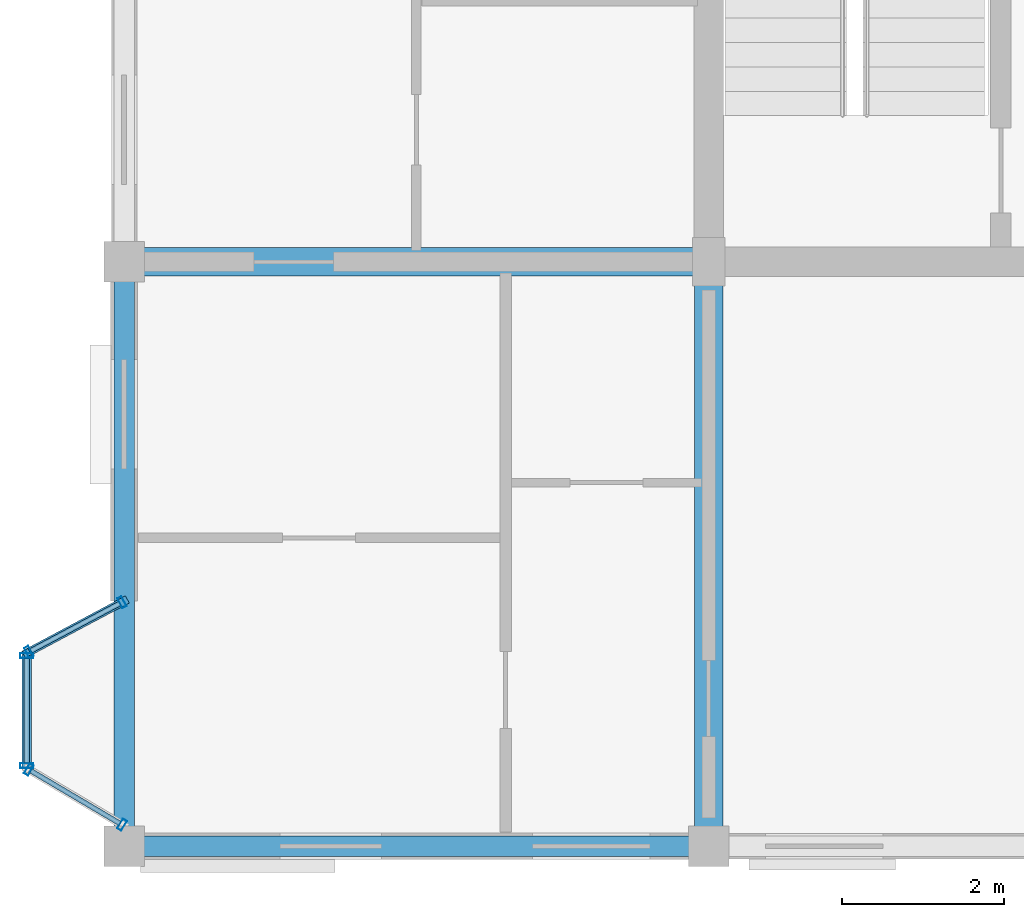
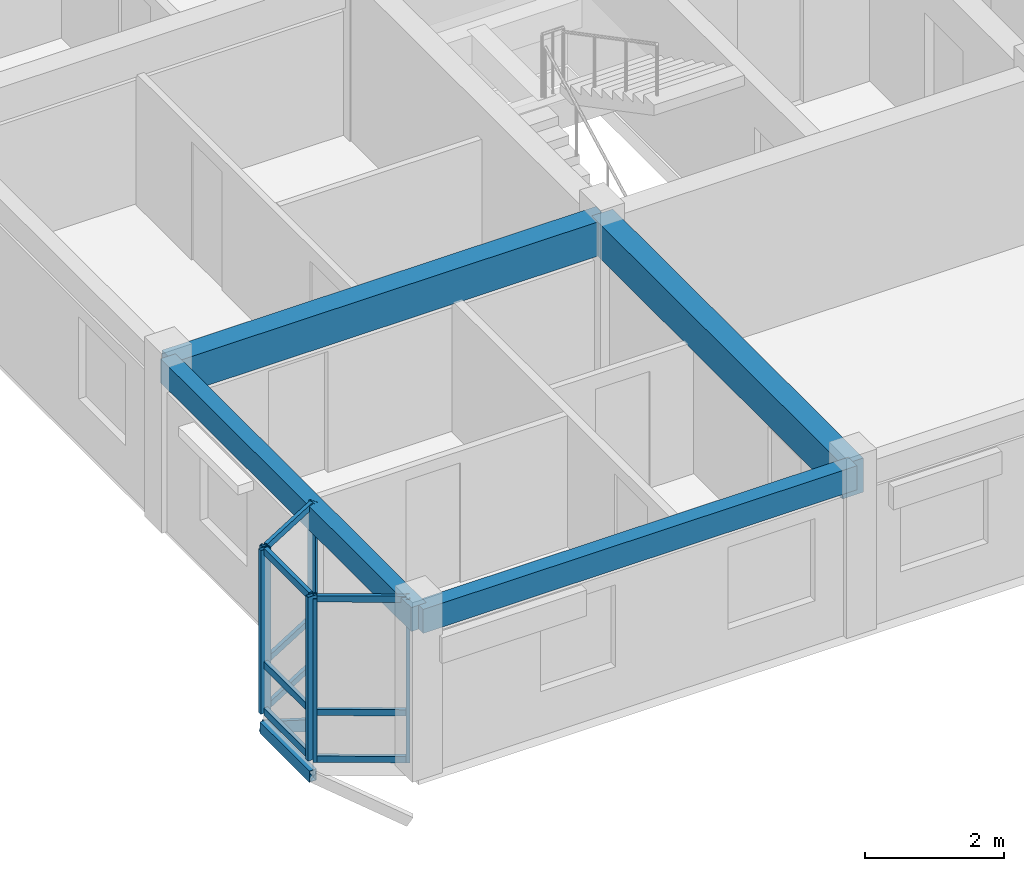
# One storey, part 3 of 70: 17 members, 4 beams, 3 elements without a shape of their own.
"""IFC4 building model written with IfcOpenShell, lengths in metres."""

import ifcopenshell
import ifcopenshell.guid

model = None  # the IFC model being written
_history = None  # IfcOwnerHistory: only IFC2X3 demands one
_inside = {}  # id of a spatial element -> (the spatial element, [elements in it])
_under = {}  # id of a project, library or spatial element -> (it, [spatial elements below it])
_declared = {}  # id of a project -> (the project, [libraries it declares])
_typed = {}  # id of a type object -> (the type object, [elements of that type])
_made_of = {}  # id of a material, layer set ... -> (it, [elements and type objects made of it])


def new_model(schema):
    """Start an empty IFC model of exactly this schema.

    Asked for "IFC4X3", IfcOpenShell would pick the latest addendum, in which some entities
    have other attributes; the version numbers below select the first issue.
    IFC2X3 requires an IfcOwnerHistory on every rooted entity: one is made here for all.
    """
    global model, _history
    if schema == "IFC4X3":
        model = ifcopenshell.file(schema_version=(4, 3, 0, 0))
    else:
        model = ifcopenshell.file(schema=schema)
    _inside.clear()
    _under.clear()
    _declared.clear()
    _typed.clear()
    _made_of.clear()
    _history = None
    if model.schema == "IFC2X3":
        org = make("IfcOrganization", Name="unknown")
        user = make(
            "IfcPersonAndOrganization",
            ThePerson=make("IfcPerson", FamilyName="unknown"),
            TheOrganization=org,
        )
        app = make(
            "IfcApplication",
            ApplicationDeveloper=org,
            Version="unknown",
            ApplicationFullName="unknown",
            ApplicationIdentifier="unknown",
        )
        _history = make(
            "IfcOwnerHistory",
            OwningUser=user,
            OwningApplication=app,
            ChangeAction="ADDED",
            CreationDate=0,
        )
    return model


def make(cls, **values):
    """One entity of the class cls with the attributes given. An attribute that is None is left unset."""
    return model.create_entity(
        cls, **{name: value for name, value in values.items() if value is not None}
    )


def rooted(cls, **values):
    """An entity with a GlobalId (a new one), such as an element, a storey or a relation."""
    return make(cls, GlobalId=ifcopenshell.guid.new(), OwnerHistory=_history, **values)


def si_unit(unit_type, name, prefix=None):
    """IfcSIUnit, for example si_unit("LENGTHUNIT", "METRE", prefix="MILLI")."""
    return make("IfcSIUnit", UnitType=unit_type, Prefix=prefix, Name=name)


def assignment(units):
    """IfcUnitAssignment: the units of a project."""
    return None if units is None else make("IfcUnitAssignment", Units=units)


def point(xyz):
    """IfcCartesianPoint."""
    return None if xyz is None else make("IfcCartesianPoint", Coordinates=xyz)


def direction(xyz):
    """IfcDirection."""
    return None if xyz is None else make("IfcDirection", DirectionRatios=xyz)


def frame(location, z_axis=None, x_axis=None):
    """IfcAxis2Placement3D, a coordinate frame: its origin and axes. An axis left out is left unset."""
    return make(
        "IfcAxis2Placement3D",
        Location=point(location),
        Axis=direction(z_axis),
        RefDirection=direction(x_axis),
    )


def frame_2d(location, x_axis=None):
    """IfcAxis2Placement2D, a coordinate frame in the plane: its origin and x axis."""
    return make(
        "IfcAxis2Placement2D", Location=point(location), RefDirection=direction(x_axis)
    )


def origin():
    """The frame at (0, 0, 0) with its axes left unset."""
    return frame((0.0, 0.0, 0.0))


def origin_2d():
    """The frame at (0, 0) in the plane with its x axis left unset."""
    return frame_2d((0.0, 0.0))


def place(relative_to, where):
    """IfcLocalPlacement: puts the frame where relative to a parent placement (None: the world)."""
    return make(
        "IfcLocalPlacement", PlacementRelTo=relative_to, RelativePlacement=where
    )


def context(
    kind, dimensions, precision=None, world=None, true_north=None, identifier=None
):
    """IfcGeometricRepresentationContext, for example the 3D "Model" context."""
    return make(
        "IfcGeometricRepresentationContext",
        ContextIdentifier=identifier,
        ContextType=kind,
        CoordinateSpaceDimension=dimensions,
        Precision=precision,
        WorldCoordinateSystem=world,
        TrueNorth=true_north,
    )


def subcontext(parent, identifier, kind, view, scale=None):
    """IfcGeometricRepresentationSubContext, for example "Body" below "Model"."""
    return make(
        "IfcGeometricRepresentationSubContext",
        ContextIdentifier=identifier,
        ContextType=kind,
        ParentContext=parent,
        TargetScale=scale,
        TargetView=view,
    )


def project(units=None, contexts=None):
    """IfcProject with its units and contexts."""
    return rooted(
        "IfcProject",
        Name="project",
        RepresentationContexts=contexts,
        UnitsInContext=assignment(units),
    )


def spatial(cls, under=None, at=None, **own):
    """A site, building, storey or space (cls), placed at a placement, below another one or the project."""
    s = rooted(cls, ObjectPlacement=at, **own)
    if under is not None:
        _under.setdefault(under.id(), (under, []))[1].append(s)
    return s


def profile(cls, at=None, kind="AREA", **sizes):
    """A parametric profile (cls). Its sizes go by their IFC names, for example OverallWidth=200.0."""
    return make(cls, ProfileType=kind, Position=at, **sizes)


def rectangle(**sizes):
    """IfcRectangleProfileDef."""
    return profile("IfcRectangleProfileDef", **sizes)


def hollow_rectangle(**sizes):
    """IfcRectangleHollowProfileDef."""
    return profile("IfcRectangleHollowProfileDef", **sizes)


def extrude(swept, where, along, depth):
    """IfcExtrudedAreaSolid: the profile swept, set in the frame where, extruded along a direction by depth."""
    return make(
        "IfcExtrudedAreaSolid",
        SweptArea=swept,
        Position=where,
        ExtrudedDirection=direction(along),
        Depth=depth,
    )


def shape(context_of_items, identifier, shape_type, items):
    """IfcShapeRepresentation: the items that make up one representation, for example the "Body"."""
    return make(
        "IfcShapeRepresentation",
        ContextOfItems=context_of_items,
        RepresentationIdentifier=identifier,
        RepresentationType=shape_type,
        Items=items,
    )


def material(Name=None, Category=None):
    """IfcMaterial."""
    return make("IfcMaterial", Name=Name, Category=Category)


def layer(
    of_material, thickness, ventilated=None, Name=None, Category=None, Priority=None
):
    """IfcMaterialLayer: one layer of a wall or slab, of a material (None: an air gap)."""
    return make(
        "IfcMaterialLayer",
        Material=of_material,
        LayerThickness=thickness,
        IsVentilated=ventilated,
        Name=Name,
        Category=Category,
        Priority=Priority,
    )


def layer_set(layers, Name=None):
    """IfcMaterialLayerSet."""
    return make("IfcMaterialLayerSet", MaterialLayers=layers, LayerSetName=Name)


def material_profile(
    of_material, cross_section, Name=None, Category=None, Priority=None
):
    """IfcMaterialProfile: a cross section and its material."""
    return make(
        "IfcMaterialProfile",
        Name=Name,
        Material=of_material,
        Profile=cross_section,
        Priority=Priority,
        Category=Category,
    )


def profile_set(profiles, Name=None, composite=None):
    """IfcMaterialProfileSet."""
    return make(
        "IfcMaterialProfileSet",
        Name=Name,
        MaterialProfiles=profiles,
        CompositeProfile=composite,
    )


def made_of(thing, what):
    """Note that an element or type object is made of a material, layer set ...; save() writes the relation."""
    if what is not None:
        _made_of.setdefault(what.id(), (what, []))[1].append(thing)
    return thing


def type_object(cls, material=None, **own):
    """A type object (cls), such as IfcWallType, which elements share."""
    return made_of(rooted(cls, **own), material)


def element(
    cls,
    number,
    at=None,
    inside=None,
    cuts=None,
    type_object=None,
    material=None,
    context=None,
    identifier="Body",
    shape_type=None,
    held_by="IfcProductDefinitionShape",
    body=None,
    shapes=None,
    **own,
):
    """One element of the class cls, such as IfcWall. Its Tag is "e" and its number.

    at: its placement. inside: the storey or other place that contains it. cuts: it is an
    opening in that element (IfcRelVoidsElement). A single representation is given by context,
    identifier, shape_type and body (its items); several are given by shapes. held_by: the class
    of the entity that holds the representations. save() writes the other relations.
    """
    e = rooted(cls, Tag="e%d" % number, ObjectPlacement=at, **own)
    if body is not None:
        shapes = [shape(context, identifier, shape_type, body)]
    if shapes is not None:
        e.Representation = make(held_by, Representations=shapes)
    if inside is not None:
        _inside.setdefault(inside.id(), (inside, []))[1].append(e)
    if cuts is not None:
        rooted(
            "IfcRelVoidsElement", RelatingBuildingElement=cuts, RelatedOpeningElement=e
        )
    if type_object is not None:
        _typed.setdefault(type_object.id(), (type_object, []))[1].append(e)
    return made_of(e, material)


def aggregate(whole, parts):
    """IfcRelAggregates: a whole, such as a stair, and the parts it consists of."""
    return rooted("IfcRelAggregates", RelatingObject=whole, RelatedObjects=parts)


def save(model, path):
    """Write the relations noted so far, then the file.

    IfcRelAggregates (storeys below a building ...), IfcRelContainedInSpatialStructure (elements
    in a storey), IfcRelDefinesByType, IfcRelAssociatesMaterial and IfcRelDeclares: one each for
    every whole, place, type object, material and project.
    """
    for whole, parts in _under.values():
        aggregate(whole, parts)
    for where, things in _inside.values():
        rooted(
            "IfcRelContainedInSpatialStructure",
            RelatedElements=things,
            RelatingStructure=where,
        )
    for kind, things in _typed.values():
        rooted("IfcRelDefinesByType", RelatedObjects=things, RelatingType=kind)
    for what, things in _made_of.values():
        rooted("IfcRelAssociatesMaterial", RelatedObjects=things, RelatingMaterial=what)
    for by, libraries in _declared.values():
        rooted("IfcRelDeclares", RelatingContext=by, RelatedDefinitions=libraries)
    model.write(path)


model = new_model("IFC4")

# Units and contexts
model_context = context("Model", 3, precision=1e-05, world=origin(), true_north=direction((0.0, 1.0)))
body_context = subcontext(model_context, "Body", "Model", "MODEL_VIEW")
ifc_project = project(units=[si_unit("LENGTHUNIT", "METRE"), si_unit("AREAUNIT", "SQUARE_METRE"), si_unit("VOLUMEUNIT", "CUBIC_METRE"), si_unit("PLANEANGLEUNIT", "RADIAN"), si_unit("MASSUNIT", "GRAM", prefix="KILO"), si_unit("THERMODYNAMICTEMPERATUREUNIT", "KELVIN"), si_unit("POWERUNIT", "WATT")], contexts=[model_context])

# Site, building, storey
site_placement = place(None, origin())
site = spatial("IfcSite", under=ifc_project, at=site_placement, CompositionType="ELEMENT")
building_placement = place(site_placement, origin())
building = spatial("IfcBuilding", under=site, at=building_placement, Name="Tavuni Mirador Residences", CompositionType="ELEMENT")
storey_placement = place(building_placement, frame((0.0, 0.0, 23.39990234375)))
storey = spatial("IfcBuildingStorey", under=building, at=storey_placement, Name="L07", CompositionType="ELEMENT", Elevation=23.39990234375)

# Beams
ifc_material_1 = material(Name="Precast concrete C40/50", Category="concrete")
ifc_material_profile_1 = material_profile(ifc_material_1, rectangle(XDim=0.35009765625, YDim=0.60009765625, at=origin_2d()), Name="PC 350x600", Category="concrete")
ifc_profile_set_1 = profile_set([ifc_material_profile_1], Name="Precast concrete C40/50")
beam_type_1 = type_object("IfcBeamType", Name="BT-B600", PredefinedType="BEAM", material=ifc_profile_set_1)
for number, where, z_axis, x_axis, name in (
    (1, (3.60009765625, 14.39990234375, 2.570068359375), (1.0, 0.0, 0.0), (0.0, 1.0, 0.0), "BMX-BLK-A-L07-00-01"),
    (2, (10.800048828125, 7.199951171875, 2.570068359375), (0.0, 1.0, 0.0), (-1.0, 0.0, 0.0), "BMY-BLK-A-L07-01-00"),
):
    element("IfcBeam", number, at=place(storey_placement, frame(where, z_axis=z_axis, x_axis=x_axis)), inside=storey, type_object=beam_type_1, Name=name, PredefinedType="BEAM", context=body_context, shape_type="SweptSolid", body=[
        extrude(rectangle(XDim=0.35009765625, YDim=0.60009765625, at=origin_2d()), origin(), (0.0, 0.0, 1.0), 7.199951171875),
    ])
ifc_material_profile_2 = material_profile(ifc_material_1, rectangle(XDim=0.25, YDim=0.419921875, at=origin_2d()), Name="PC 250x420", Category="concrete")
ifc_profile_set_2 = profile_set([ifc_material_profile_2], Name="Precast concrete C40/50")
beam_type_2 = type_object("IfcBeamType", Name="BT-SP420", PredefinedType="SPANDREL", material=ifc_profile_set_2)
for number, where, z_axis, x_axis, name in (
    (3, (3.60009765625, 7.199951171875, 2.66015625), (1.0, 0.0, 0.0), (0.0, 1.0, 0.0), "BMX-BLK-A-L07-00-00"),
    (4, (3.60009765625, 7.199951171875, 2.66015625), (0.0, 1.0, 0.0), (-1.0, 0.0, 0.0), "BMY-BLK-A-L07-00-00"),
):
    element("IfcBeam", number, at=place(storey_placement, frame(where, z_axis=z_axis, x_axis=x_axis)), inside=storey, type_object=beam_type_2, Name=name, PredefinedType="SPANDREL", context=body_context, shape_type="SweptSolid", body=[
        extrude(rectangle(XDim=0.25, YDim=0.419921875, at=origin_2d()), origin(), (0.0, 0.0, 1.0), 7.199951171875),
    ])

# Curtain wall, members
ifc_material_2 = material(Name="Anodised aluminium", Category="aluminium")
ifc_layer_1 = layer(ifc_material_2, 0.175048828125, Name="Anodised aluminium", Category="aluminium")
ifc_layer_set_1 = layer_set([ifc_layer_1], Name="Anodised aluminium")
curtain_wall_type_1 = type_object("IfcCurtainWallType", Name="CWT-MIR-C", PredefinedType="NOTDEFINED", material=ifc_layer_set_1)
curtain_wall_1_placement = place(storey_placement, origin())
curtain_wall_1 = element("IfcCurtainWall", 5, at=curtain_wall_1_placement, inside=storey, type_object=curtain_wall_type_1, Name="CW-MIR-A-W1-L07-M1", PredefinedType="NOTDEFINED")
ifc_material_profile_3 = material_profile(ifc_material_2, hollow_rectangle(XDim=0.06005859375, YDim=0.139892578125, WallThickness=0.00390625, at=origin_2d()), Name="ALU 60x140x4.0", Category="aluminium")
ifc_profile_set_3 = profile_set([ifc_material_profile_3], Name="Anodised aluminium")
member_type_1 = type_object("IfcMemberType", Name="CWM-140", PredefinedType="MULLION", material=ifc_profile_set_3)
member_1_placement = place(storey_placement, frame((3.573486328125, 10.205810546875, 0.0), z_axis=(0.0, 0.0, 1.0), x_axis=(-0.882352941175, -0.470588235296, 0.0)))
member_1 = element("IfcMember", 6, at=member_1_placement, type_object=member_type_1, Name="CW-03 mullion 1", PredefinedType="MULLION", context=body_context, shape_type="SweptSolid", body=[
    extrude(hollow_rectangle(XDim=0.06005859375, YDim=0.139892578125, WallThickness=0.00390625, at=origin_2d()), origin(), (0.0, 0.0, 1.0), 2.8701171875),
])
member_2_placement = place(storey_placement, frame((2.426513671875, 9.59423828125, 0.0), z_axis=(0.0, 0.0, 1.0), x_axis=(-0.882352941175, -0.470588235296, 0.0)))
member_2 = element("IfcMember", 7, at=member_2_placement, type_object=member_type_1, Name="CW-03 mullion 2", PredefinedType="MULLION", context=body_context, shape_type="SweptSolid", body=[
    extrude(hollow_rectangle(XDim=0.06005859375, YDim=0.139892578125, WallThickness=0.00390625, at=origin_2d()), origin(), (0.0, 0.0, 1.0), 2.8701171875),
])

ifc_layer_2 = layer(ifc_material_2, 0.1650390625, Name="Anodised aluminium", Category="aluminium")
ifc_layer_set_2 = layer_set([ifc_layer_2], Name="Anodised aluminium")
curtain_wall_type_2 = type_object("IfcCurtainWallType", Name="CWT-MIR-A", PredefinedType="NOTDEFINED", material=ifc_layer_set_2)
curtain_wall_2_placement = place(storey_placement, origin())
curtain_wall_2 = element("IfcCurtainWall", 8, at=curtain_wall_2_placement, inside=storey, type_object=curtain_wall_type_2, Name="CW-MIR-A-W1-L07-M2", PredefinedType="NOTDEFINED")
member_3_placement = place(storey_placement, frame((2.42578125, 8.144775390625, 0.0), z_axis=(0.0, 0.0, 1.0), x_axis=(0.860640830284, -0.509212491254, 0.0)))
member_3 = element("IfcMember", 9, at=member_3_placement, type_object=member_type_1, Name="CW-01 mullion 1", PredefinedType="MULLION", context=body_context, shape_type="SweptSolid", body=[
    extrude(hollow_rectangle(XDim=0.06005859375, YDim=0.139892578125, WallThickness=0.00390625, at=origin_2d()), origin(), (0.0, 0.0, 1.0), 2.8701171875),
])
member_4_placement = place(storey_placement, frame((3.57421875, 7.46533203125, 0.0), z_axis=(0.0, 0.0, 1.0), x_axis=(0.860640830284, -0.509212491254, 0.0)))
member_4 = element("IfcMember", 10, at=member_4_placement, type_object=member_type_1, Name="CW-01 mullion 2", PredefinedType="MULLION", context=body_context, shape_type="SweptSolid", body=[
    extrude(hollow_rectangle(XDim=0.06005859375, YDim=0.139892578125, WallThickness=0.00390625, at=origin_2d()), origin(), (0.0, 0.0, 1.0), 2.8701171875),
])

ifc_layer_3 = layer(ifc_material_2, 0.159912109375, Name="Anodised aluminium", Category="aluminium")
ifc_layer_set_3 = layer_set([ifc_layer_3], Name="Anodised aluminium")
curtain_wall_type_3 = type_object("IfcCurtainWallType", Name="CWT-MIR-D", PredefinedType="NOTDEFINED", material=ifc_layer_set_3)
curtain_wall_3_placement = place(storey_placement, origin())
curtain_wall_3 = element("IfcCurtainWall", 11, at=curtain_wall_3_placement, inside=storey, type_object=curtain_wall_type_3, Name="CW-MIR-A-W1-L07-MF", PredefinedType="NOTDEFINED")
ifc_material_profile_4 = material_profile(ifc_material_2, hollow_rectangle(XDim=0.06494140625, YDim=0.1650390625, WallThickness=0.00439453125, at=origin_2d()), Name="ALU 65x165x4.5", Category="aluminium")
ifc_profile_set_4 = profile_set([ifc_material_profile_4], Name="Anodised aluminium")
member_type_2 = type_object("IfcMemberType", Name="CWM-165", PredefinedType="MULLION", material=ifc_profile_set_4)
member_5_placement = place(storey_placement, frame((2.39990234375, 9.547607421875, 0.0), z_axis=(0.0, 0.0, 1.0), x_axis=(0.0, -1.0, 0.0)))
member_5 = element("IfcMember", 12, at=member_5_placement, type_object=member_type_2, Name="CW-04 mullion 1", PredefinedType="MULLION", context=body_context, shape_type="SweptSolid", body=[
    extrude(hollow_rectangle(XDim=0.06494140625, YDim=0.1650390625, WallThickness=0.00439453125, at=origin_2d()), origin(), (0.0, 0.0, 1.0), 2.8701171875),
])
member_6_placement = place(storey_placement, frame((2.39990234375, 8.1923828125, 0.0), z_axis=(0.0, 0.0, 1.0), x_axis=(0.0, -1.0, 0.0)))
member_6 = element("IfcMember", 13, at=member_6_placement, type_object=member_type_2, Name="CW-04 mullion 2", PredefinedType="MULLION", context=body_context, shape_type="SweptSolid", body=[
    extrude(hollow_rectangle(XDim=0.06494140625, YDim=0.1650390625, WallThickness=0.00439453125, at=origin_2d()), origin(), (0.0, 0.0, 1.0), 2.8701171875),
])

# Member
ifc_material_profile_5 = material_profile(ifc_material_2, hollow_rectangle(XDim=0.06005859375, YDim=0.110107421875, WallThickness=0.00390625, at=origin_2d()), Name="ALU 60x110x4.0", Category="aluminium")
ifc_profile_set_5 = profile_set([ifc_material_profile_5], Name="Anodised aluminium")
member_type_3 = type_object("IfcMemberType", Name="CWT-110", PredefinedType="USERDEFINED", material=ifc_profile_set_5)
member_7_placement = place(storey_placement, frame((3.547119140625, 10.191650390625, 0.030029296875), z_axis=(-0.882385637708, -0.470526924168, 0.0), x_axis=(0.470526924168, -0.882385637708, 0.0)))
member_7 = element("IfcMember", 14, at=member_7_placement, type_object=member_type_3, Name="CW-03 transom 1.1", ObjectType="TRANSOM", PredefinedType="USERDEFINED", context=body_context, shape_type="SweptSolid", body=[
    extrude(hollow_rectangle(XDim=0.06005859375, YDim=0.110107421875, WallThickness=0.00390625, at=origin_2d()), origin(), (0.0, 0.0, 1.0), 1.239990234375),
])

member_8_placement = place(storey_placement, frame((3.547119140625, 10.191650390625, 0.85009765625), z_axis=(-0.882385637708, -0.470526924168, 0.0), x_axis=(0.470526924168, -0.882385637708, 0.0)))
member_8 = element("IfcMember", 15, at=member_8_placement, type_object=member_type_3, Name="CW-03 transom 1.2", ObjectType="TRANSOM", PredefinedType="USERDEFINED", context=body_context, shape_type="SweptSolid", body=[
    extrude(hollow_rectangle(XDim=0.06005859375, YDim=0.110107421875, WallThickness=0.00390625, at=origin_2d()), origin(), (0.0, 0.0, 1.0), 1.239990234375),
])

member_9_placement = place(storey_placement, frame((3.547119140625, 10.191650390625, 2.840087890625), z_axis=(-0.882385637708, -0.470526924168, 0.0), x_axis=(0.470526924168, -0.882385637708, 0.0)))
member_9 = element("IfcMember", 16, at=member_9_placement, type_object=member_type_3, Name="CW-03 transom 1.3", ObjectType="TRANSOM", PredefinedType="USERDEFINED", context=body_context, shape_type="SweptSolid", body=[
    extrude(hollow_rectangle(XDim=0.06005859375, YDim=0.110107421875, WallThickness=0.00390625, at=origin_2d()), origin(), (0.0, 0.0, 1.0), 1.239990234375),
])

aggregate(curtain_wall_1, [member_1, member_2, member_7, member_8, member_9])

member_10_placement = place(storey_placement, frame((2.45166015625, 8.12939453125, 0.030029296875), z_axis=(0.860621238039, -0.509245603452, 0.0), x_axis=(0.509245603452, 0.860621238039, 0.0)))
member_10 = element("IfcMember", 17, at=member_10_placement, type_object=member_type_3, Name="CW-01 transom 1.1", ObjectType="TRANSOM", PredefinedType="USERDEFINED", context=body_context, shape_type="SweptSolid", body=[
    extrude(hollow_rectangle(XDim=0.06005859375, YDim=0.110107421875, WallThickness=0.00390625, at=origin_2d()), origin(), (0.0, 0.0, 1.0), 1.274169921875),
])

member_11_placement = place(storey_placement, frame((2.45166015625, 8.12939453125, 0.85009765625), z_axis=(0.860621238039, -0.509245603452, 0.0), x_axis=(0.509245603452, 0.860621238039, 0.0)))
member_11 = element("IfcMember", 18, at=member_11_placement, type_object=member_type_3, Name="CW-01 transom 1.2", ObjectType="TRANSOM", PredefinedType="USERDEFINED", context=body_context, shape_type="SweptSolid", body=[
    extrude(hollow_rectangle(XDim=0.06005859375, YDim=0.110107421875, WallThickness=0.00390625, at=origin_2d()), origin(), (0.0, 0.0, 1.0), 1.274169921875),
])

member_12_placement = place(storey_placement, frame((2.45166015625, 8.12939453125, 2.840087890625), z_axis=(0.860621238039, -0.509245603452, 0.0), x_axis=(0.509245603452, 0.860621238039, 0.0)))
member_12 = element("IfcMember", 19, at=member_12_placement, type_object=member_type_3, Name="CW-01 transom 1.3", ObjectType="TRANSOM", PredefinedType="USERDEFINED", context=body_context, shape_type="SweptSolid", body=[
    extrude(hollow_rectangle(XDim=0.06005859375, YDim=0.110107421875, WallThickness=0.00390625, at=origin_2d()), origin(), (0.0, 0.0, 1.0), 1.274169921875),
])

aggregate(curtain_wall_2, [member_3, member_4, member_10, member_11, member_12])

ifc_material_profile_6 = material_profile(ifc_material_2, hollow_rectangle(XDim=0.06494140625, YDim=0.125, WallThickness=0.00439453125, at=origin_2d()), Name="ALU 65x125x4.5", Category="aluminium")
ifc_profile_set_6 = profile_set([ifc_material_profile_6], Name="Anodised aluminium")
member_type_4 = type_object("IfcMemberType", Name="CWT-125", PredefinedType="USERDEFINED", material=ifc_profile_set_6)
member_13_placement = place(storey_placement, frame((2.39990234375, 9.514892578125, 0.03271484375), z_axis=(0.0, -1.0, 0.0), x_axis=(1.0, 0.0, 0.0)))
member_13 = element("IfcMember", 20, at=member_13_placement, type_object=member_type_4, Name="CW-04 transom 1.1", ObjectType="TRANSOM", PredefinedType="USERDEFINED", context=body_context, shape_type="SweptSolid", body=[
    extrude(hollow_rectangle(XDim=0.06494140625, YDim=0.125, WallThickness=0.00439453125, at=origin_2d()), origin(), (0.0, 0.0, 1.0), 1.289794921875),
])

member_14_placement = place(storey_placement, frame((2.39990234375, 9.514892578125, 0.85009765625), z_axis=(0.0, -1.0, 0.0), x_axis=(1.0, 0.0, 0.0)))
member_14 = element("IfcMember", 21, at=member_14_placement, type_object=member_type_4, Name="CW-04 transom 1.2", ObjectType="TRANSOM", PredefinedType="USERDEFINED", context=body_context, shape_type="SweptSolid", body=[
    extrude(hollow_rectangle(XDim=0.06494140625, YDim=0.125, WallThickness=0.00439453125, at=origin_2d()), origin(), (0.0, 0.0, 1.0), 1.289794921875),
])

member_15_placement = place(storey_placement, frame((2.39990234375, 9.514892578125, 2.837646484375), z_axis=(0.0, -1.0, 0.0), x_axis=(1.0, 0.0, 0.0)))
member_15 = element("IfcMember", 22, at=member_15_placement, type_object=member_type_4, Name="CW-04 transom 1.3", ObjectType="TRANSOM", PredefinedType="USERDEFINED", context=body_context, shape_type="SweptSolid", body=[
    extrude(hollow_rectangle(XDim=0.06494140625, YDim=0.125, WallThickness=0.00439453125, at=origin_2d()), origin(), (0.0, 0.0, 1.0), 1.289794921875),
])

aggregate(curtain_wall_3, [member_5, member_6, member_13, member_14, member_15])

# Members
ifc_material_3 = material(Name="Structural steel S355", Category="steel")
ifc_material_profile_7 = material_profile(ifc_material_3, hollow_rectangle(XDim=0.10009765625, YDim=0.179931640625, WallThickness=0.008056640625, at=origin_2d()), Name="RHS 180x100x8.0", Category="steel")
ifc_profile_set_7 = profile_set([ifc_material_profile_7], Name="Structural steel S355")
member_type_5 = type_object("IfcMemberType", Name="MT-BR-RHS180", PredefinedType="BRACE", material=ifc_profile_set_7)
member_16_placement = place(storey_placement, frame((3.60009765625, 10.219970703125, -1.0498046875), z_axis=(-0.767896193149, -0.409409260017, 0.492665702439), x_axis=(0.470467115558, -0.882417527692, 0.0)))
element("IfcMember", 23, at=member_16_placement, inside=storey, type_object=member_type_5, Name="MBRK-MIR-A-W1-L07-2", PredefinedType="BRACE", context=body_context, shape_type="SweptSolid", body=[
    extrude(hollow_rectangle(XDim=0.10009765625, YDim=0.179931640625, WallThickness=0.008056640625, at=origin_2d()), origin(), (0.0, 0.0, 1.0), 1.56298828125),
])
ifc_material_profile_8 = material_profile(ifc_material_3, hollow_rectangle(XDim=0.1201171875, YDim=0.199951171875, WallThickness=0.010009765625, at=origin_2d()), Name="RHS 200x120x10.0", Category="steel")
ifc_profile_set_8 = profile_set([ifc_material_profile_8], Name="Structural steel S355")
member_type_6 = type_object("IfcMemberType", Name="MT-ST-RHS200", PredefinedType="STRUT", material=ifc_profile_set_8)
member_17_placement = place(storey_placement, frame((2.39990234375, 8.159912109375, -0.27978515625), z_axis=(0.0, 1.0, 0.0), x_axis=(-1.0, 0.0, 0.0)))
element("IfcMember", 24, at=member_17_placement, inside=storey, type_object=member_type_6, Name="MRIM-MIR-A-W1-L07", PredefinedType="STRUT", context=body_context, shape_type="SweptSolid", body=[
    extrude(hollow_rectangle(XDim=0.1201171875, YDim=0.199951171875, WallThickness=0.010009765625, at=origin_2d()), origin(), (0.0, 0.0, 1.0), 1.420166015625),
])

save(model, "model.ifc")
